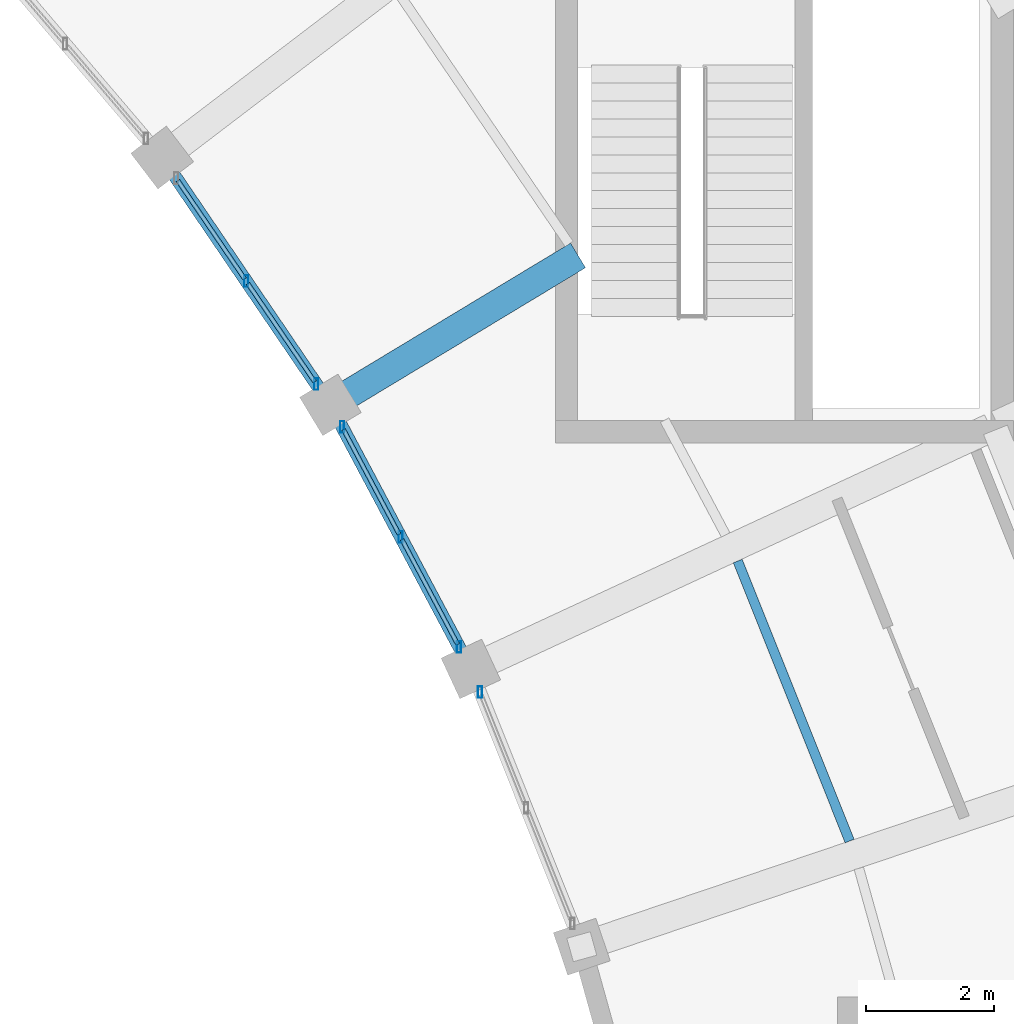
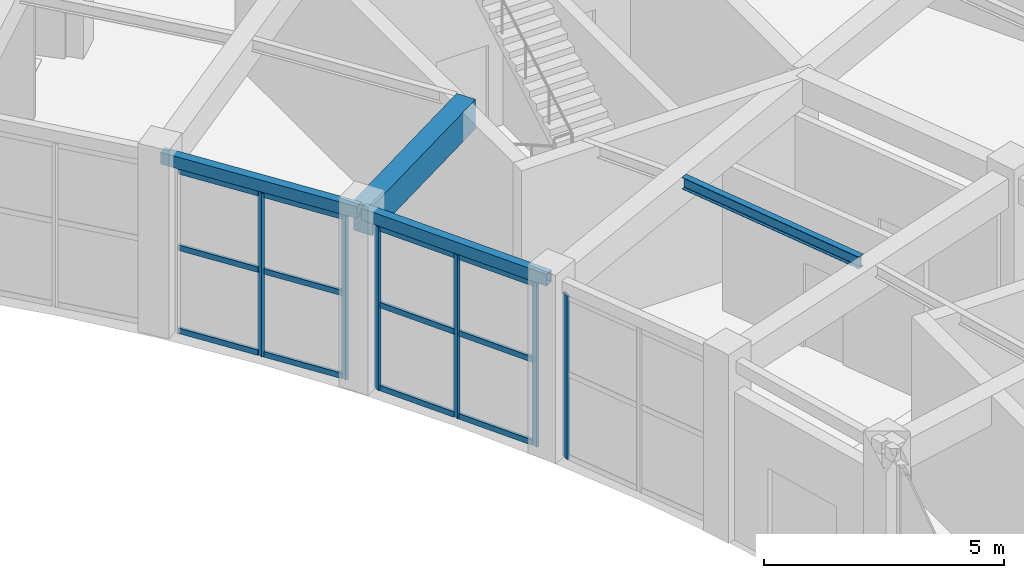
# One storey, part 71 of 108: 18 members, 4 beams, 3 elements without a shape of their own.
"""IFC4 building model written with IfcOpenShell, lengths in metres."""

from ifc_helpers import new_model, si_unit, direction, frame, origin, origin_2d, place, context, subcontext, project, spatial, rectangle, hollow_rectangle, i_section, extrude, material, material_profile, profile_set, type_object, element, aggregate, save


model = new_model("IFC4")

# Units and contexts
model_context = context("Model", 3, precision=1e-05, world=origin(), true_north=direction((0.0, 1.0)))
body_context = subcontext(model_context, "Body", "Model", "MODEL_VIEW")
ifc_project = project(units=[si_unit("LENGTHUNIT", "METRE"), si_unit("AREAUNIT", "SQUARE_METRE"), si_unit("VOLUMEUNIT", "CUBIC_METRE"), si_unit("PLANEANGLEUNIT", "RADIAN"), si_unit("MASSUNIT", "GRAM", prefix="KILO")], contexts=[model_context])

# Site, building, storey
site_placement = place(None, origin())
site = spatial("IfcSite", under=ifc_project, at=site_placement, CompositionType="ELEMENT")
building_placement = place(site_placement, origin())
building = spatial("IfcBuilding", under=site, at=building_placement, Name="Tarnveldt Headland Concert Hall", CompositionType="ELEMENT")
storey_placement = place(building_placement, origin())
storey = spatial("IfcBuildingStorey", under=building, at=storey_placement, Name="L00", CompositionType="ELEMENT", Elevation=0.0)

# Beam
ifc_material_1 = material(Name="Concrete C40/50", Category="concrete")
ifc_material_profile_1 = material_profile(ifc_material_1, rectangle(XDim=0.449951171875, YDim=0.75, at=origin_2d()), Name="RC 450x750", Category="concrete")
ifc_profile_set_1 = profile_set([ifc_material_profile_1], Name="Concrete C40/50")
beam_type_1 = type_object("IfcBeamType", Name="CB-450x750", PredefinedType="BEAM", material=ifc_profile_set_1)
beam_1_placement = place(storey_placement, frame((154.36669921875, 82.2490234375, 4.14501953125), z_axis=(0.856145433593, 0.516734938375, 0.0), x_axis=(-0.516734938375, 0.856145433593, 0.0)))
element("IfcBeam", 1, at=beam_1_placement, inside=storey, type_object=beam_type_1, Name="Framing beam L00-522", PredefinedType="BEAM", context=body_context, shape_type="SweptSolid", body=[
    extrude(rectangle(XDim=0.449951171875, YDim=0.75, at=origin_2d()), origin(), (0.0, 0.0, 1.0), 4.453857421875),
])

# Curtain wall, member
ifc_material_2 = material(Name="Marine-anodised aluminium EN AW-6063-T6", Category="aluminium")
curtain_wall_type = type_object("IfcCurtainWallType", Name="CW-C1", PredefinedType="NOTDEFINED", material=ifc_material_2)
curtain_wall_1_placement = place(storey_placement, origin())
curtain_wall_1 = element("IfcCurtainWall", 2, at=curtain_wall_1_placement, inside=storey, type_object=curtain_wall_type, Name="Curtain wall CW-L00-104", PredefinedType="NOTDEFINED")
ifc_material_profile_2 = material_profile(ifc_material_2, hollow_rectangle(XDim=0.06494140625, YDim=0.179931640625, WallThickness=0.00390625, at=origin_2d()), Name="ALU MULLION 65x180x4", Category="aluminium")
ifc_profile_set_2 = profile_set([ifc_material_profile_2], Name="Marine-anodised aluminium EN AW-6063-T6")
member_type_1 = type_object("IfcMemberType", Name="ML-180", PredefinedType="MULLION", material=ifc_profile_set_2)
member_1_placement = place(storey_placement, frame((156.651123046875, 77.73486328125, 0.0), z_axis=(0.0, 0.0, 1.0), x_axis=(1.0, 0.0, 0.0)))
member_1 = element("IfcMember", 3, at=member_1_placement, type_object=member_type_1, Name="Mullion CW-L00-104-3", PredefinedType="MULLION", context=body_context, shape_type="SweptSolid", body=[
    extrude(hollow_rectangle(XDim=0.06494140625, YDim=0.179931640625, WallThickness=0.00390625, at=origin_2d()), origin(), (0.0, 0.0, 1.0), 4.159912109375),
])
aggregate(curtain_wall_1, [member_1])

# Curtain wall, members
curtain_wall_2_placement = place(storey_placement, origin())
curtain_wall_2 = element("IfcCurtainWall", 4, at=curtain_wall_2_placement, inside=storey, type_object=curtain_wall_type, Name="Curtain wall CW-L00-105", PredefinedType="NOTDEFINED")
member_2_placement = place(storey_placement, frame((156.3232421875, 78.44140625, 0.0), z_axis=(0.0, 0.0, 1.0), x_axis=(1.0, 0.0, 0.0)))
member_2 = element("IfcMember", 5, at=member_2_placement, type_object=member_type_1, Name="Mullion CW-L00-105-1", PredefinedType="MULLION", context=body_context, shape_type="SweptSolid", body=[
    extrude(hollow_rectangle(XDim=0.06494140625, YDim=0.179931640625, WallThickness=0.00390625, at=origin_2d()), origin(), (0.0, 0.0, 1.0), 4.159912109375),
])
member_3_placement = place(storey_placement, frame((155.410888671875, 80.15771484375, 0.0), z_axis=(0.0, 0.0, 1.0), x_axis=(1.0, 0.0, 0.0)))
member_3 = element("IfcMember", 6, at=member_3_placement, type_object=member_type_1, Name="Mullion CW-L00-105-2", PredefinedType="MULLION", context=body_context, shape_type="SweptSolid", body=[
    extrude(hollow_rectangle(XDim=0.06494140625, YDim=0.179931640625, WallThickness=0.00390625, at=origin_2d()), origin(), (0.0, 0.0, 1.0), 4.159912109375),
])
member_4_placement = place(storey_placement, frame((154.498291015625, 81.873779296875, 0.0), z_axis=(0.0, 0.0, 1.0), x_axis=(1.0, 0.0, 0.0)))
member_4 = element("IfcMember", 7, at=member_4_placement, type_object=member_type_1, Name="Mullion CW-L00-105-3", PredefinedType="MULLION", context=body_context, shape_type="SweptSolid", body=[
    extrude(hollow_rectangle(XDim=0.06494140625, YDim=0.179931640625, WallThickness=0.00390625, at=origin_2d()), origin(), (0.0, 0.0, 1.0), 4.159912109375),
])

curtain_wall_3_placement = place(storey_placement, origin())
curtain_wall_3 = element("IfcCurtainWall", 8, at=curtain_wall_3_placement, inside=storey, type_object=curtain_wall_type, Name="Curtain wall CW-L00-106", PredefinedType="NOTDEFINED")
member_5_placement = place(storey_placement, frame((154.095947265625, 82.54052734375, 0.0), z_axis=(0.0, 0.0, 1.0), x_axis=(1.0, 0.0, 0.0)))
member_5 = element("IfcMember", 9, at=member_5_placement, type_object=member_type_1, Name="Mullion CW-L00-106-1", PredefinedType="MULLION", context=body_context, shape_type="SweptSolid", body=[
    extrude(hollow_rectangle(XDim=0.06494140625, YDim=0.179931640625, WallThickness=0.00390625, at=origin_2d()), origin(), (0.0, 0.0, 1.0), 4.159912109375),
])
member_6_placement = place(storey_placement, frame((153.002685546875, 84.147705078125, 0.0), z_axis=(0.0, 0.0, 1.0), x_axis=(1.0, 0.0, 0.0)))
member_6 = element("IfcMember", 10, at=member_6_placement, type_object=member_type_1, Name="Mullion CW-L00-106-2", PredefinedType="MULLION", context=body_context, shape_type="SweptSolid", body=[
    extrude(hollow_rectangle(XDim=0.06494140625, YDim=0.179931640625, WallThickness=0.00390625, at=origin_2d()), origin(), (0.0, 0.0, 1.0), 4.159912109375),
])

# Beams
ifc_material_3 = material(Name="Steel S355", Category="steel")
ifc_material_profile_3 = material_profile(ifc_material_3, i_section(OverallWidth=0.14990234375, OverallDepth=0.300048828125, WebThickness=0.007080078125, FlangeThickness=0.0107421875, FilletRadius=0.014892578125, at=origin_2d()), Name="IPE300", Category="steel")
ifc_profile_set_3 = profile_set([ifc_material_profile_3], Name="Steel S355")
beam_type_2 = type_object("IfcBeamType", Name="SB-IPE300", PredefinedType="JOIST", material=ifc_profile_set_3)
beam_2_placement = place(storey_placement, frame((162.417724609375, 75.411865234375, 4.3701171875), z_axis=(-0.370943390212, 0.92865548039, 0.0), x_axis=(-0.92865548039, -0.370943390212, 0.0)))
element("IfcBeam", 11, at=beam_2_placement, inside=storey, type_object=beam_type_2, Name="Framing beam L00-514", PredefinedType="JOIST", context=body_context, shape_type="SweptSolid", body=[
    extrude(i_section(OverallWidth=0.14990234375, OverallDepth=0.300048828125, WebThickness=0.007080078125, FlangeThickness=0.0107421875, FilletRadius=0.014892578125, at=origin_2d()), origin(), (0.0, 0.0, 1.0), 4.705810546875),
])
ifc_material_profile_4 = material_profile(ifc_material_3, hollow_rectangle(XDim=0.199951171875, YDim=0.300048828125, WallThickness=0.012451171875, at=origin_2d()), Name="RHS 300x200x12.5", Category="steel")
ifc_profile_set_4 = profile_set([ifc_material_profile_4], Name="Steel S355")
beam_type_3 = type_object("IfcBeamType", Name="SB-RHS300", PredefinedType="SPANDREL", material=ifc_profile_set_4)
beam_3_placement = place(storey_placement, frame((156.478271484375, 78.14990234375, 4.3701171875), z_axis=(-0.469450914916, 0.882958571216, 0.0), x_axis=(-0.882958571216, -0.469450914916, 0.0)))
element("IfcBeam", 12, at=beam_3_placement, inside=storey, type_object=beam_type_3, Name="Framing beam L00-518", PredefinedType="SPANDREL", context=body_context, shape_type="SweptSolid", body=[
    extrude(hollow_rectangle(XDim=0.199951171875, YDim=0.300048828125, WallThickness=0.012451171875, at=origin_2d()), origin(), (0.0, 0.0, 1.0), 4.54736328125),
])
beam_4_placement = place(storey_placement, frame((154.281494140625, 82.267578125, 4.3701171875), z_axis=(-0.562406932975, 0.826860593898, 0.0), x_axis=(-0.826860593898, -0.562406932975, 0.0)))
element("IfcBeam", 13, at=beam_4_placement, inside=storey, type_object=beam_type_3, Name="Framing beam L00-524", PredefinedType="SPANDREL", context=body_context, shape_type="SweptSolid", body=[
    extrude(hollow_rectangle(XDim=0.199951171875, YDim=0.300048828125, WallThickness=0.012451171875, at=origin_2d()), origin(), (0.0, 0.0, 1.0), 4.547607421875),
])

# Member
ifc_material_profile_5 = material_profile(ifc_material_2, hollow_rectangle(XDim=0.06494140625, YDim=0.139892578125, WallThickness=0.00390625, at=origin_2d()), Name="ALU TRANSOM 65x140x4", Category="aluminium")
ifc_profile_set_5 = profile_set([ifc_material_profile_5], Name="Marine-anodised aluminium EN AW-6063-T6")
member_type_2 = type_object("IfcMemberType", Name="TR-140", PredefinedType="MEMBER", material=ifc_profile_set_5)
member_7_placement = place(storey_placement, frame((156.302490234375, 78.480712890625, 0.050048828125), z_axis=(-0.469501641812, 0.8829315989, 0.0), x_axis=(-0.8829315989, -0.469501641812, 0.0)))
member_7 = element("IfcMember", 14, at=member_7_placement, type_object=member_type_2, Name="Transom CW-L00-105-1-1", PredefinedType="MEMBER", context=body_context, shape_type="SweptSolid", body=[
    extrude(hollow_rectangle(XDim=0.06494140625, YDim=0.139892578125, WallThickness=0.00390625, at=origin_2d()), origin(), (0.0, 0.0, 1.0), 1.854736328125),
])

member_8_placement = place(storey_placement, frame((156.302490234375, 78.480712890625, 2.1630859375), z_axis=(-0.469501641812, 0.8829315989, 0.0), x_axis=(-0.8829315989, -0.469501641812, 0.0)))
member_8 = element("IfcMember", 15, at=member_8_placement, type_object=member_type_2, Name="Transom CW-L00-105-1-2", PredefinedType="MEMBER", context=body_context, shape_type="SweptSolid", body=[
    extrude(hollow_rectangle(XDim=0.06494140625, YDim=0.139892578125, WallThickness=0.00390625, at=origin_2d()), origin(), (0.0, 0.0, 1.0), 1.854736328125),
])

member_9_placement = place(storey_placement, frame((156.302490234375, 78.480712890625, 4.110107421875), z_axis=(-0.469501641812, 0.8829315989, 0.0), x_axis=(-0.8829315989, -0.469501641812, 0.0)))
member_9 = element("IfcMember", 16, at=member_9_placement, type_object=member_type_2, Name="Transom CW-L00-105-1-3", PredefinedType="MEMBER", context=body_context, shape_type="SweptSolid", body=[
    extrude(hollow_rectangle(XDim=0.06494140625, YDim=0.139892578125, WallThickness=0.00390625, at=origin_2d()), origin(), (0.0, 0.0, 1.0), 1.854736328125),
])

member_10_placement = place(storey_placement, frame((155.389892578125, 80.19677734375, 0.050048828125), z_axis=(-0.469399022669, 0.882986159301, 0.0), x_axis=(-0.882986159301, -0.469399022669, 0.0)))
member_10 = element("IfcMember", 17, at=member_10_placement, type_object=member_type_2, Name="Transom CW-L00-105-2-1", PredefinedType="MEMBER", context=body_context, shape_type="SweptSolid", body=[
    extrude(hollow_rectangle(XDim=0.06494140625, YDim=0.139892578125, WallThickness=0.00390625, at=origin_2d()), origin(), (0.0, 0.0, 1.0), 1.854736328125),
])

member_11_placement = place(storey_placement, frame((155.389892578125, 80.19677734375, 2.1630859375), z_axis=(-0.469399022669, 0.882986159301, 0.0), x_axis=(-0.882986159301, -0.469399022669, 0.0)))
member_11 = element("IfcMember", 18, at=member_11_placement, type_object=member_type_2, Name="Transom CW-L00-105-2-2", PredefinedType="MEMBER", context=body_context, shape_type="SweptSolid", body=[
    extrude(hollow_rectangle(XDim=0.06494140625, YDim=0.139892578125, WallThickness=0.00390625, at=origin_2d()), origin(), (0.0, 0.0, 1.0), 1.854736328125),
])

member_12_placement = place(storey_placement, frame((155.389892578125, 80.19677734375, 4.110107421875), z_axis=(-0.469399022669, 0.882986159301, 0.0), x_axis=(-0.882986159301, -0.469399022669, 0.0)))
member_12 = element("IfcMember", 19, at=member_12_placement, type_object=member_type_2, Name="Transom CW-L00-105-2-3", PredefinedType="MEMBER", context=body_context, shape_type="SweptSolid", body=[
    extrude(hollow_rectangle(XDim=0.06494140625, YDim=0.139892578125, WallThickness=0.00390625, at=origin_2d()), origin(), (0.0, 0.0, 1.0), 1.854736328125),
])

aggregate(curtain_wall_2, [member_2, member_3, member_4, member_7, member_8, member_9, member_10, member_11, member_12])

member_13_placement = place(storey_placement, frame((154.07080078125, 82.577392578125, 0.050048828125), z_axis=(-0.562421621535, 0.826850602969, 0.0), x_axis=(-0.826850602969, -0.562421621535, 0.0)))
member_13 = element("IfcMember", 20, at=member_13_placement, type_object=member_type_2, Name="Transom CW-L00-106-1-1", PredefinedType="MEMBER", context=body_context, shape_type="SweptSolid", body=[
    extrude(hollow_rectangle(XDim=0.06494140625, YDim=0.139892578125, WallThickness=0.00390625, at=origin_2d()), origin(), (0.0, 0.0, 1.0), 1.85498046875),
])

member_14_placement = place(storey_placement, frame((154.07080078125, 82.577392578125, 2.1630859375), z_axis=(-0.562421621535, 0.826850602969, 0.0), x_axis=(-0.826850602969, -0.562421621535, 0.0)))
member_14 = element("IfcMember", 21, at=member_14_placement, type_object=member_type_2, Name="Transom CW-L00-106-1-2", PredefinedType="MEMBER", context=body_context, shape_type="SweptSolid", body=[
    extrude(hollow_rectangle(XDim=0.06494140625, YDim=0.139892578125, WallThickness=0.00390625, at=origin_2d()), origin(), (0.0, 0.0, 1.0), 1.85498046875),
])

member_15_placement = place(storey_placement, frame((154.07080078125, 82.577392578125, 4.110107421875), z_axis=(-0.562421621535, 0.826850602969, 0.0), x_axis=(-0.826850602969, -0.562421621535, 0.0)))
member_15 = element("IfcMember", 22, at=member_15_placement, type_object=member_type_2, Name="Transom CW-L00-106-1-3", PredefinedType="MEMBER", context=body_context, shape_type="SweptSolid", body=[
    extrude(hollow_rectangle(XDim=0.06494140625, YDim=0.139892578125, WallThickness=0.00390625, at=origin_2d()), origin(), (0.0, 0.0, 1.0), 1.85498046875),
])

member_16_placement = place(storey_placement, frame((152.977783203125, 84.1845703125, 0.050048828125), z_axis=(-0.562482836063, 0.826808961692, 0.0), x_axis=(-0.826808961692, -0.562482836063, 0.0)))
member_16 = element("IfcMember", 23, at=member_16_placement, type_object=member_type_2, Name="Transom CW-L00-106-2-1", PredefinedType="MEMBER", context=body_context, shape_type="SweptSolid", body=[
    extrude(hollow_rectangle(XDim=0.06494140625, YDim=0.139892578125, WallThickness=0.00390625, at=origin_2d()), origin(), (0.0, 0.0, 1.0), 1.854736328125),
])

member_17_placement = place(storey_placement, frame((152.977783203125, 84.1845703125, 2.1630859375), z_axis=(-0.562482836063, 0.826808961692, 0.0), x_axis=(-0.826808961692, -0.562482836063, 0.0)))
member_17 = element("IfcMember", 24, at=member_17_placement, type_object=member_type_2, Name="Transom CW-L00-106-2-2", PredefinedType="MEMBER", context=body_context, shape_type="SweptSolid", body=[
    extrude(hollow_rectangle(XDim=0.06494140625, YDim=0.139892578125, WallThickness=0.00390625, at=origin_2d()), origin(), (0.0, 0.0, 1.0), 1.854736328125),
])

member_18_placement = place(storey_placement, frame((152.977783203125, 84.1845703125, 4.110107421875), z_axis=(-0.562482836063, 0.826808961692, 0.0), x_axis=(-0.826808961692, -0.562482836063, 0.0)))
member_18 = element("IfcMember", 25, at=member_18_placement, type_object=member_type_2, Name="Transom CW-L00-106-2-3", PredefinedType="MEMBER", context=body_context, shape_type="SweptSolid", body=[
    extrude(hollow_rectangle(XDim=0.06494140625, YDim=0.139892578125, WallThickness=0.00390625, at=origin_2d()), origin(), (0.0, 0.0, 1.0), 1.854736328125),
])

aggregate(curtain_wall_3, [member_5, member_6, member_13, member_14, member_15, member_16, member_17, member_18])

save(model, "model.ifc")
